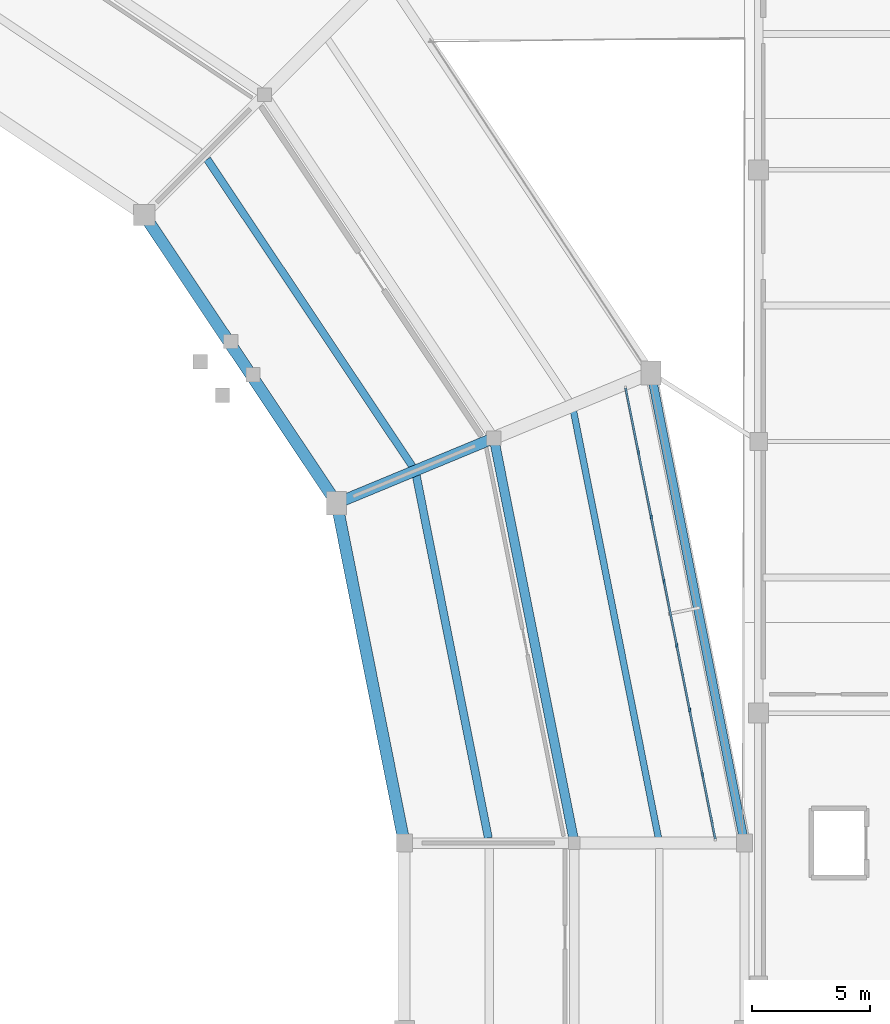
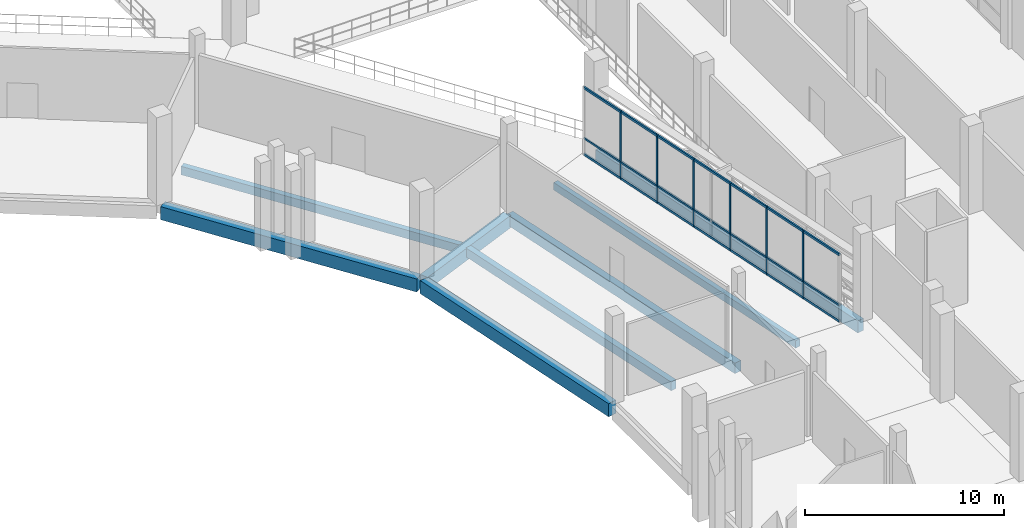
# One storey, part 42 of 114: 9 members, 8 beams, 1 element without a shape of its own.
"""IFC4 building model written with IfcOpenShell, lengths in metres."""

from ifc_helpers import new_model, si_unit, direction, frame, origin, origin_2d, place, context, subcontext, project, spatial, rectangle, extrude, material, material_profile, profile_set, type_object, element, aggregate, save


model = new_model("IFC4")

# Units and contexts
model_context = context("Model", 3, precision=1e-05, world=origin(), true_north=direction((0.0, 1.0)))
body_context = subcontext(model_context, "Body", "Model", "MODEL_VIEW")
ifc_project = project(units=[si_unit("LENGTHUNIT", "METRE"), si_unit("AREAUNIT", "SQUARE_METRE"), si_unit("VOLUMEUNIT", "CUBIC_METRE"), si_unit("PLANEANGLEUNIT", "RADIAN"), si_unit("MASSUNIT", "GRAM", prefix="KILO")], contexts=[model_context])

# Site, building, storey
site_placement = place(None, origin())
site = spatial("IfcSite", under=ifc_project, at=site_placement, CompositionType="ELEMENT")
building_placement = place(site_placement, origin())
building = spatial("IfcBuilding", under=site, at=building_placement, Name="Candeia Ridge Stadium", CompositionType="ELEMENT")
storey_placement = place(building_placement, frame((0.0, 0.0, 5.39990234375)))
storey = spatial("IfcBuildingStorey", under=building, at=storey_placement, Name="L01", CompositionType="ELEMENT", Elevation=5.39990234375)

# Curtain wall, members
ifc_material_1 = material(Name="Aluminium Anodized Warm Bronze", Category="aluminium")
curtain_wall_type = type_object("IfcCurtainWallType", Name="Concourse Recessed Unitised Curtain Wall", PredefinedType="NOTDEFINED", material=ifc_material_1)
curtain_wall_placement = place(storey_placement, origin())
curtain_wall = element("IfcCurtainWall", 1, at=curtain_wall_placement, inside=storey, type_object=curtain_wall_type, Name="Unitised curtain wall CW-BWL-L01-32", PredefinedType="NOTDEFINED")
ifc_material_profile_1 = material_profile(ifc_material_1, rectangle(XDim=0.074951171875, YDim=0.14990234375, at=origin_2d()), Name="CWM-75x150", Category="aluminium")
ifc_profile_set_1 = profile_set([ifc_material_profile_1], Name="Aluminium Anodized Warm Bronze")
member_type_1 = type_object("IfcMemberType", Name="Curtain Wall Secondary Mullion 75x150", PredefinedType="MULLION", material=ifc_profile_set_1)
member_1_placement = place(storey_placement, frame((191.222412109375, 97.9033203125, 0.0), z_axis=(0.0, 0.0, 1.0), x_axis=(1.0, 0.0, 0.0)))
member_1 = element("IfcMember", 2, at=member_1_placement, type_object=member_type_1, Name="Curtain wall mullion CW-BWL-L01-32-M1", PredefinedType="MULLION", context=body_context, shape_type="SweptSolid", body=[
    extrude(rectangle(XDim=0.074951171875, YDim=0.14990234375, at=origin_2d()), origin(), (0.0, 0.0, 1.0), 4.205078125),
])
member_2_placement = place(storey_placement, frame((190.68017578125, 100.6298828125, 0.0), z_axis=(0.0, 0.0, 1.0), x_axis=(1.0, 0.0, 0.0)))
member_2 = element("IfcMember", 3, at=member_2_placement, type_object=member_type_1, Name="Curtain wall mullion CW-BWL-L01-32-M2", PredefinedType="MULLION", context=body_context, shape_type="SweptSolid", body=[
    extrude(rectangle(XDim=0.074951171875, YDim=0.14990234375, at=origin_2d()), origin(), (0.0, 0.0, 1.0), 4.205078125),
])
member_3_placement = place(storey_placement, frame((190.1376953125, 103.356689453125, 0.0), z_axis=(0.0, 0.0, 1.0), x_axis=(1.0, 0.0, 0.0)))
member_3 = element("IfcMember", 4, at=member_3_placement, type_object=member_type_1, Name="Curtain wall mullion CW-BWL-L01-32-M3", PredefinedType="MULLION", context=body_context, shape_type="SweptSolid", body=[
    extrude(rectangle(XDim=0.074951171875, YDim=0.14990234375, at=origin_2d()), origin(), (0.0, 0.0, 1.0), 4.205078125),
])
member_4_placement = place(storey_placement, frame((189.595458984375, 106.08349609375, 0.0), z_axis=(0.0, 0.0, 1.0), x_axis=(1.0, 0.0, 0.0)))
member_4 = element("IfcMember", 5, at=member_4_placement, type_object=member_type_1, Name="Curtain wall mullion CW-BWL-L01-32-M4", PredefinedType="MULLION", context=body_context, shape_type="SweptSolid", body=[
    extrude(rectangle(XDim=0.074951171875, YDim=0.14990234375, at=origin_2d()), origin(), (0.0, 0.0, 1.0), 4.205078125),
])
member_5_placement = place(storey_placement, frame((189.052978515625, 108.810302734375, 0.0), z_axis=(0.0, 0.0, 1.0), x_axis=(1.0, 0.0, 0.0)))
member_5 = element("IfcMember", 6, at=member_5_placement, type_object=member_type_1, Name="Curtain wall mullion CW-BWL-L01-32-M5", PredefinedType="MULLION", context=body_context, shape_type="SweptSolid", body=[
    extrude(rectangle(XDim=0.074951171875, YDim=0.14990234375, at=origin_2d()), origin(), (0.0, 0.0, 1.0), 4.205078125),
])
member_6_placement = place(storey_placement, frame((188.510498046875, 111.537109375, 0.0), z_axis=(0.0, 0.0, 1.0), x_axis=(1.0, 0.0, 0.0)))
member_6 = element("IfcMember", 7, at=member_6_placement, type_object=member_type_1, Name="Curtain wall mullion CW-BWL-L01-32-M6", PredefinedType="MULLION", context=body_context, shape_type="SweptSolid", body=[
    extrude(rectangle(XDim=0.074951171875, YDim=0.14990234375, at=origin_2d()), origin(), (0.0, 0.0, 1.0), 4.205078125),
])
ifc_material_profile_2 = material_profile(ifc_material_1, rectangle(XDim=0.074951171875, YDim=0.110107421875, at=origin_2d()), Name="CWT-75x110", Category="aluminium")
ifc_profile_set_2 = profile_set([ifc_material_profile_2], Name="Aluminium Anodized Warm Bronze")
member_type_2 = type_object("IfcMemberType", Name="Curtain Wall Secondary Transom 75x110", PredefinedType="USERDEFINED", material=ifc_profile_set_2)
member_7_placement = place(storey_placement, frame((191.764892578125, 95.176513671875, 1.05126953125), z_axis=(-0.195085896803, 0.980786160623, 0.0), x_axis=(-0.980786160623, -0.195085896803, 0.0)))
member_7 = element("IfcMember", 8, at=member_7_placement, type_object=member_type_2, Name="Curtain wall transom CW-BWL-L01-32-T1", ObjectType="TRANSOM", PredefinedType="USERDEFINED", context=body_context, shape_type="SweptSolid", body=[
    extrude(rectangle(XDim=0.074951171875, YDim=0.110107421875, at=origin_2d()), origin(), (0.0, 0.0, 1.0), 19.46142578125),
])
ifc_material_profile_3 = material_profile(ifc_material_1, rectangle(XDim=0.090087890625, YDim=0.139892578125, at=origin_2d()), Name="CWT-90x140", Category="aluminium")
ifc_profile_set_3 = profile_set([ifc_material_profile_3], Name="Aluminium Anodized Warm Bronze")
member_type_3 = type_object("IfcMemberType", Name="Curtain Wall Transom 90x140", PredefinedType="USERDEFINED", material=ifc_profile_set_3)
member_8_placement = place(storey_placement, frame((191.764892578125, 95.176513671875, 0.070068359375), z_axis=(-0.195085896803, 0.980786160623, 0.0), x_axis=(-0.980786160623, -0.195085896803, 0.0)))
member_8 = element("IfcMember", 9, at=member_8_placement, type_object=member_type_3, Name="Curtain wall transom CW-BWL-L01-32-T0", ObjectType="TRANSOM", PredefinedType="USERDEFINED", context=body_context, shape_type="SweptSolid", body=[
    extrude(rectangle(XDim=0.090087890625, YDim=0.139892578125, at=origin_2d()), origin(), (0.0, 0.0, 1.0), 19.46142578125),
])
member_9_placement = place(storey_placement, frame((191.764892578125, 95.176513671875, 4.135009765625), z_axis=(-0.195085896803, 0.980786160623, 0.0), x_axis=(-0.980786160623, -0.195085896803, 0.0)))
member_9 = element("IfcMember", 10, at=member_9_placement, type_object=member_type_3, Name="Curtain wall transom CW-BWL-L01-32-T2", ObjectType="TRANSOM", PredefinedType="USERDEFINED", context=body_context, shape_type="SweptSolid", body=[
    extrude(rectangle(XDim=0.090087890625, YDim=0.139892578125, at=origin_2d()), origin(), (0.0, 0.0, 1.0), 19.46142578125),
])
aggregate(curtain_wall, [member_1, member_2, member_3, member_4, member_5, member_6, member_8, member_7, member_9])

# Beams
ifc_material_2 = material(Name="Concrete C40/50", Category="concrete")
ifc_material_profile_4 = material_profile(ifc_material_2, rectangle(XDim=0.280029296875, YDim=0.4599609375, at=origin_2d()), Name="RC280x460", Category="concrete")
ifc_profile_set_4 = profile_set([ifc_material_profile_4], Name="Concrete C40/50")
beam_type_1 = type_object("IfcBeamType", Name="Floor Joist RC280x460", PredefinedType="JOIST", material=ifc_profile_set_4)
beam_1_placement = place(storey_placement, frame((189.356689453125, 95.2177734375, -0.489990234375), z_axis=(-0.195092537954, 0.980784839623, 0.0), x_axis=(-0.980784839623, -0.195092537954, 0.0)))
element("IfcBeam", 11, at=beam_1_placement, inside=storey, type_object=beam_type_1, Name="Concourse secondary joist BM-L01-0226", PredefinedType="JOIST", context=body_context, shape_type="SweptSolid", body=[
    extrude(rectangle(XDim=0.280029296875, YDim=0.4599609375, at=origin_2d()), origin(), (0.0, 0.0, 1.0), 18.440673828125),
])
ifc_material_profile_5 = material_profile(ifc_material_2, rectangle(XDim=0.320068359375, YDim=0.52001953125, at=origin_2d()), Name="RC320x520", Category="concrete")
ifc_profile_set_5 = profile_set([ifc_material_profile_5], Name="Concrete C40/50")
beam_type_2 = type_object("IfcBeamType", Name="Floor Joist RC320x520", PredefinedType="JOIST", material=ifc_profile_set_5)
beam_2_placement = place(storey_placement, frame((178.9404296875, 110.951171875, -0.52001953125), z_axis=(-0.555568527312, 0.831470752017, 0.0), x_axis=(-0.831470752017, -0.555568527312, 0.0)))
element("IfcBeam", 12, at=beam_2_placement, inside=storey, type_object=beam_type_2, Name="Concourse secondary joist BM-L01-0230", PredefinedType="JOIST", context=body_context, shape_type="SweptSolid", body=[
    extrude(rectangle(XDim=0.320068359375, YDim=0.52001953125, at=origin_2d()), origin(), (0.0, 0.0, 1.0), 15.63134765625),
])
ifc_material_profile_6 = material_profile(ifc_material_2, rectangle(XDim=0.340087890625, YDim=0.5400390625, at=origin_2d()), Name="RC340x540", Category="concrete")
ifc_profile_set_6 = profile_set([ifc_material_profile_6], Name="Concrete C40/50")
beam_type_3 = type_object("IfcBeamType", Name="Floor Joist RC340x540", PredefinedType="JOIST", material=ifc_profile_set_6)
beam_3_placement = place(storey_placement, frame((182.15673828125, 95.2177734375, -0.52978515625), z_axis=(-0.195091809076, 0.980784984607, 0.0), x_axis=(-0.980784984607, -0.195091809076, 0.0)))
element("IfcBeam", 13, at=beam_3_placement, inside=storey, type_object=beam_type_3, Name="Concourse secondary joist BM-L01-0225", PredefinedType="JOIST", context=body_context, shape_type="SweptSolid", body=[
    extrude(rectangle(XDim=0.340087890625, YDim=0.5400390625, at=origin_2d()), origin(), (0.0, 0.0, 1.0), 15.63134765625),
])
ifc_material_profile_7 = material_profile(ifc_material_2, rectangle(XDim=0.469970703125, YDim=0.760009765625, at=origin_2d()), Name="RC470x760", Category="concrete")
ifc_profile_set_7 = profile_set([ifc_material_profile_7], Name="Concrete C40/50")
beam_type_4 = type_object("IfcBeamType", Name="Frame Girder RC470x760", PredefinedType="BEAM", material=ifc_profile_set_7)
beam_4_placement = place(storey_placement, frame((175.8857421875, 109.4501953125, -0.639892578125), z_axis=(0.923880161031, 0.382681914982, 0.0), x_axis=(-0.382681914982, 0.923880161031, 0.0)))
element("IfcBeam", 14, at=beam_4_placement, inside=storey, type_object=beam_type_4, Name="Bowl radial girder BM-L01-0067", PredefinedType="BEAM", context=body_context, shape_type="SweptSolid", body=[
    extrude(rectangle(XDim=0.469970703125, YDim=0.760009765625, at=origin_2d()), origin(), (0.0, 0.0, 1.0), 6.8798828125),
])
ifc_material_profile_8 = material_profile(ifc_material_2, rectangle(XDim=0.5, YDim=0.800048828125, at=origin_2d()), Name="RC500x800", Category="concrete")
ifc_profile_set_8 = profile_set([ifc_material_profile_8], Name="Concrete C40/50")
beam_type_5 = type_object("IfcBeamType", Name="Frame Girder RC500x800", PredefinedType="BEAM", material=ifc_profile_set_8)
for number, where, z_axis, x_axis, name in (
    (15, (178.56884765625, 95.156982421875, -0.659912109375), (-0.195098555341, 0.980783642657, 0.0), (-0.980783642657, -0.195098555341, 0.0), "Bowl inner ring girder BM-L01-0222"),
    (16, (175.64892578125, 109.52197265625, -0.659912109375), (-0.55557537569, 0.831466176057, 0.0), (-0.831466176057, -0.55557537569, 0.0), "Bowl inner ring girder BM-L01-0227"),
):
    element("IfcBeam", number, at=place(storey_placement, frame(where, z_axis=z_axis, x_axis=x_axis)), inside=storey, type_object=beam_type_5, Name=name, PredefinedType="BEAM", context=body_context, shape_type="SweptSolid", body=[
        extrude(rectangle(XDim=0.5, YDim=0.800048828125, at=origin_2d()), origin(), (0.0, 0.0, 1.0), 14.350830078125),
    ])
ifc_material_3 = material(Name="Concrete C45/55", Category="concrete")
ifc_material_profile_9 = material_profile(ifc_material_3, rectangle(XDim=0.3701171875, YDim=0.739990234375, at=origin_2d()), Name="RC370x740", Category="concrete")
ifc_profile_set_9 = profile_set([ifc_material_profile_9], Name="Concrete C45/55")
beam_type_6 = type_object("IfcBeamType", Name="Spandrel Beam RC370x740", PredefinedType="SPANDREL", material=ifc_profile_set_9)
beam_5_placement = place(storey_placement, frame((192.96875, 95.156982421875, -0.6298828125), z_axis=(-0.195086242929, 0.980786091775, 0.0), x_axis=(-0.980786091775, -0.195086242929, 0.0)))
element("IfcBeam", 17, at=beam_5_placement, inside=storey, type_object=beam_type_6, Name="Bowl perimeter spandrel BM-L01-0224", PredefinedType="SPANDREL", context=body_context, shape_type="SweptSolid", body=[
    extrude(rectangle(XDim=0.3701171875, YDim=0.739990234375, at=origin_2d()), origin(), (0.0, 0.0, 1.0), 19.969482421875),
])
ifc_material_profile_10 = material_profile(ifc_material_2, rectangle(XDim=0.39990234375, YDim=0.64990234375, at=origin_2d()), Name="RC400x650", Category="concrete")
ifc_profile_set_10 = profile_set([ifc_material_profile_10], Name="Concrete C40/50")
beam_type_7 = type_object("IfcBeamType", Name="Wing Primary Girder RC400x650", PredefinedType="BEAM", material=ifc_profile_set_10)
beam_6_placement = place(storey_placement, frame((185.790283203125, 95.049072265625, -0.5849609375), z_axis=(-0.195086803319, 0.980785980309, 0.0), x_axis=(-0.980785980309, -0.195086803319, 0.0)))
element("IfcBeam", 18, at=beam_6_placement, inside=storey, type_object=beam_type_7, Name="Concourse spine girder BM-L01-0223", PredefinedType="BEAM", context=body_context, shape_type="SweptSolid", body=[
    extrude(rectangle(XDim=0.39990234375, YDim=0.64990234375, at=origin_2d()), origin(), (0.0, 0.0, 1.0), 17.380126953125),
])

save(model, "model.ifc")
